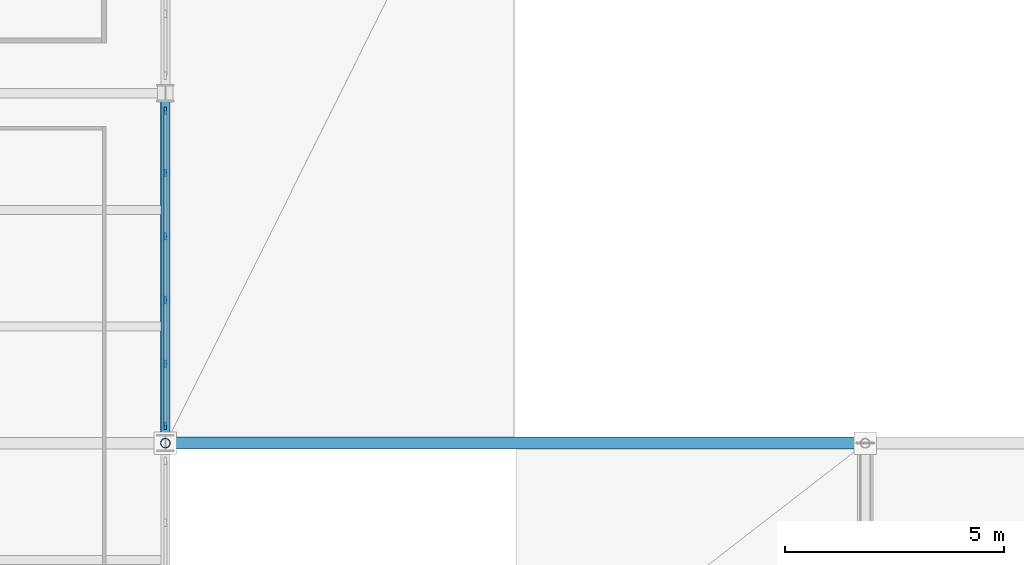
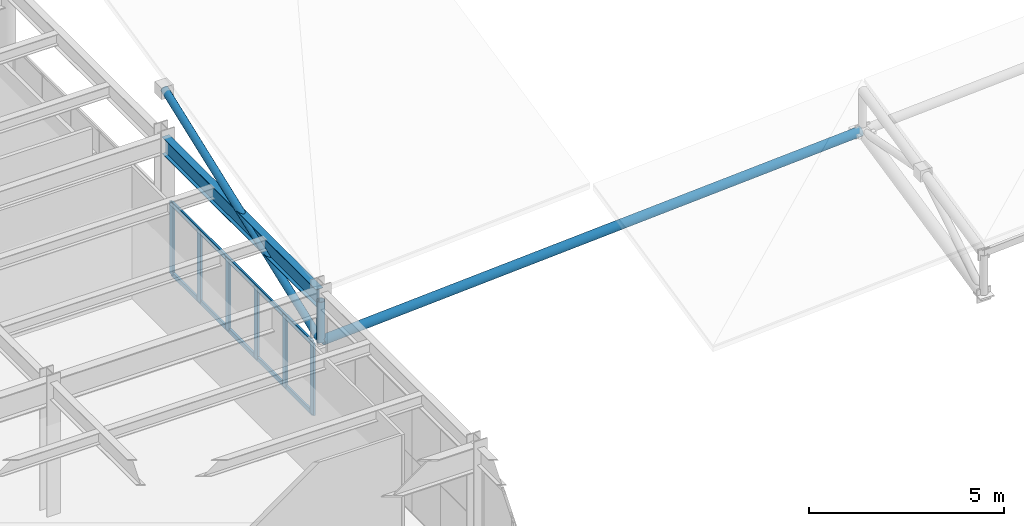
# One storey, part 17 of 83: 10 members, 2 beams, 1 element without a shape of its own.
"""IFC4 building model written with IfcOpenShell, lengths in metres."""

from ifc_helpers import new_model, si_unit, direction, frame, origin, origin_2d, place, context, subcontext, project, spatial, rectangle, hollow_circle, i_section, extrude, material, material_profile, profile_set, type_object, element, aggregate, save


model = new_model("IFC4")

# Units and contexts
model_context = context("Model", 3, precision=1e-05, world=origin(), true_north=direction((0.0, 1.0)))
body_context = subcontext(model_context, "Body", "Model", "MODEL_VIEW")
ifc_project = project(units=[si_unit("LENGTHUNIT", "METRE"), si_unit("AREAUNIT", "SQUARE_METRE"), si_unit("VOLUMEUNIT", "CUBIC_METRE"), si_unit("PLANEANGLEUNIT", "RADIAN"), si_unit("MASSUNIT", "GRAM", prefix="KILO")], contexts=[model_context])

# Site, building, storey
site_placement = place(None, origin())
site = spatial("IfcSite", under=ifc_project, at=site_placement, CompositionType="ELEMENT")
building_placement = place(site_placement, origin())
building = spatial("IfcBuilding", under=site, at=building_placement, Name="Drelvath Fold Interchange", CompositionType="ELEMENT")
storey_placement = place(building_placement, frame((0.0, 0.0, 11.199951171875)))
storey = spatial("IfcBuildingStorey", under=building, at=storey_placement, Name="L02", CompositionType="ELEMENT", Elevation=11.199951171875)

# Beam
ifc_material_1 = material(Name="Steel ASTM A992 Grade 50", Category="steel")
ifc_material_profile_1 = material_profile(ifc_material_1, i_section(OverallWidth=0.2099609375, OverallDepth=0.537109375, WebThickness=0.010986328125, FlangeThickness=0.017333984375, at=origin_2d()), Name="W21X68")
ifc_profile_set_1 = profile_set([ifc_material_profile_1], Name="Steel ASTM A992 Grade 50")
beam_type_1 = type_object("IfcBeamType", Name="BM-W21X68", PredefinedType="SPANDREL", material=ifc_profile_set_1)
beam_1_placement = place(storey_placement, frame((52.0, 27.06005859375, 3.85205078125), z_axis=(0.0, 1.0, 0.0), x_axis=(-1.0, 0.0, 0.0)))
element("IfcBeam", 1, at=beam_1_placement, inside=storey, type_object=beam_type_1, Name="L02 Primary Y girder BM-W21X68", PredefinedType="SPANDREL", context=body_context, shape_type="SweptSolid", body=[
    extrude(i_section(OverallWidth=0.2099609375, OverallDepth=0.537109375, WebThickness=0.010986328125, FlangeThickness=0.017333984375, at=origin_2d()), origin(), (0.0, 0.0, 1.0), 7.8798828125),
])

# Curtain wall, members
ifc_material_2 = material(Name="Anodized Aluminium 6063-T6", Category="aluminium")
curtain_wall_type = type_object("IfcCurtainWallType", Name="CW-OPS-UPP", PredefinedType="USERDEFINED", material=ifc_material_2)
curtain_wall_placement = place(storey_placement, origin())
curtain_wall = element("IfcCurtainWall", 2, at=curtain_wall_placement, inside=storey, type_object=curtain_wall_type, Name="Curtain wall CW-V5-L02-E27", ObjectType="UNITISED CURTAIN WALL", PredefinedType="USERDEFINED")
ifc_material_profile_2 = material_profile(ifc_material_2, rectangle(XDim=0.06005859375, YDim=0.175048828125, at=origin_2d()), Name="AL-M 60x175")
ifc_profile_set_2 = profile_set([ifc_material_profile_2], Name="Anodized Aluminium 6063-T6")
member_type_1 = type_object("IfcMemberType", Name="ML-175", PredefinedType="MULLION", material=ifc_profile_set_2)
member_1_placement = place(storey_placement, frame((52.0, 27.39990234375, 0.0), z_axis=(0.0, 0.0, 1.0), x_axis=(1.0, 0.0, 0.0)))
member_1 = element("IfcMember", 3, at=member_1_placement, type_object=member_type_1, Name="CW-V5-L02-E27 mullion 0", PredefinedType="MULLION", context=body_context, shape_type="SweptSolid", body=[
    extrude(rectangle(XDim=0.06005859375, YDim=0.175048828125, at=origin_2d()), origin(), (0.0, 0.0, 1.0), 2.25),
])
member_2_placement = place(storey_placement, frame((52.0, 28.81591796875, 0.0), z_axis=(0.0, 0.0, 1.0), x_axis=(1.0, 0.0, 0.0)))
member_2 = element("IfcMember", 4, at=member_2_placement, type_object=member_type_1, Name="CW-V5-L02-E27 mullion 1", PredefinedType="MULLION", context=body_context, shape_type="SweptSolid", body=[
    extrude(rectangle(XDim=0.06005859375, YDim=0.175048828125, at=origin_2d()), origin(), (0.0, 0.0, 1.0), 2.25),
])
member_3_placement = place(storey_placement, frame((52.0, 30.27197265625, 0.0), z_axis=(0.0, 0.0, 1.0), x_axis=(1.0, 0.0, 0.0)))
member_3 = element("IfcMember", 5, at=member_3_placement, type_object=member_type_1, Name="CW-V5-L02-E27 mullion 2", PredefinedType="MULLION", context=body_context, shape_type="SweptSolid", body=[
    extrude(rectangle(XDim=0.06005859375, YDim=0.175048828125, at=origin_2d()), origin(), (0.0, 0.0, 1.0), 2.25),
])
member_4_placement = place(storey_placement, frame((52.0, 31.72802734375, 0.0), z_axis=(0.0, 0.0, 1.0), x_axis=(1.0, 0.0, 0.0)))
member_4 = element("IfcMember", 6, at=member_4_placement, type_object=member_type_1, Name="CW-V5-L02-E27 mullion 3", PredefinedType="MULLION", context=body_context, shape_type="SweptSolid", body=[
    extrude(rectangle(XDim=0.06005859375, YDim=0.175048828125, at=origin_2d()), origin(), (0.0, 0.0, 1.0), 2.25),
])
member_5_placement = place(storey_placement, frame((52.0, 33.18408203125, 0.0), z_axis=(0.0, 0.0, 1.0), x_axis=(1.0, 0.0, 0.0)))
member_5 = element("IfcMember", 7, at=member_5_placement, type_object=member_type_1, Name="CW-V5-L02-E27 mullion 4", PredefinedType="MULLION", context=body_context, shape_type="SweptSolid", body=[
    extrude(rectangle(XDim=0.06005859375, YDim=0.175048828125, at=origin_2d()), origin(), (0.0, 0.0, 1.0), 2.25),
])
member_6_placement = place(storey_placement, frame((52.0, 34.60009765625, 0.0), z_axis=(0.0, 0.0, 1.0), x_axis=(1.0, 0.0, 0.0)))
member_6 = element("IfcMember", 8, at=member_6_placement, type_object=member_type_1, Name="CW-V5-L02-E27 mullion 5", PredefinedType="MULLION", context=body_context, shape_type="SweptSolid", body=[
    extrude(rectangle(XDim=0.06005859375, YDim=0.175048828125, at=origin_2d()), origin(), (0.0, 0.0, 1.0), 2.25),
])

# Beam
ifc_material_3 = material(Name="Steel ASTM A500 Grade C", Category="steel")
ifc_material_profile_3 = material_profile(ifc_material_3, hollow_circle(Radius=0.136474609375, WallThickness=0.01171875, at=origin_2d()), Name="HSS10.750X0.500")
ifc_profile_set_3 = profile_set([ifc_material_profile_3], Name="Steel ASTM A500 Grade C")
beam_type_2 = type_object("IfcBeamType", Name="SF-TIE273", PredefinedType="BEAM", material=ifc_profile_set_3)
beam_2_placement = place(storey_placement, frame((52.050048828125, 27.0, 2.530029296875), z_axis=(0.998174997398, 0.0, 0.060387702143), x_axis=(0.0, 1.0, 0.0)))
element("IfcBeam", 9, at=beam_2_placement, inside=storey, type_object=beam_type_2, Name="Space frame roof truss longitudinal tie WEST", PredefinedType="BEAM", context=body_context, shape_type="SweptSolid", body=[
    extrude(hollow_circle(Radius=0.136474609375, WallThickness=0.01171875, at=origin_2d()), origin(), (0.0, 0.0, 1.0), 15.928955078125),
])

# Members
ifc_material_profile_4 = material_profile(ifc_material_3, hollow_circle(Radius=0.109619140625, WallThickness=0.0087890625, at=origin_2d()), Name="HSS8.625X0.375")
ifc_profile_set_4 = profile_set([ifc_material_profile_4], Name="Steel ASTM A500 Grade C")
member_type_2 = type_object("IfcMemberType", Name="SF-WEB219", PredefinedType="BRACE", material=ifc_profile_set_4)
member_7_placement = place(storey_placement, frame((52.0, 27.0, 2.530029296875), z_axis=(0.0, 0.935792918381, 0.352550158002), x_axis=(-1.0, 0.0, 0.0)))
element("IfcMember", 10, at=member_7_placement, inside=storey, type_object=member_type_2, Name="L02 Space frame roof truss web brace SF-WEB219", PredefinedType="BRACE", context=body_context, shape_type="SweptSolid", body=[
    extrude(hollow_circle(Radius=0.109619140625, WallThickness=0.0087890625, at=origin_2d()), origin(), (0.0, 0.0, 1.0), 8.548828125),
])
member_8_placement = place(storey_placement, frame((52.0, 27.0, 2.530029296875), z_axis=(0.0, 0.0, 1.0), x_axis=(1.0, 0.0, 0.0)))
element("IfcMember", 11, at=member_8_placement, inside=storey, type_object=member_type_2, Name="L02 Space frame roof truss web brace SF-WEB219", PredefinedType="BRACE", context=body_context, shape_type="SweptSolid", body=[
    extrude(hollow_circle(Radius=0.109619140625, WallThickness=0.0087890625, at=origin_2d()), origin(), (0.0, 0.0, 1.0), 1.27001953125),
])

# Member
ifc_material_profile_5 = material_profile(ifc_material_2, rectangle(XDim=0.06005859375, YDim=0.139892578125, at=origin_2d()), Name="AL-T 60x140")
ifc_profile_set_5 = profile_set([ifc_material_profile_5], Name="Anodized Aluminium 6063-T6")
member_type_3 = type_object("IfcMemberType", Name="TR-140", PredefinedType="USERDEFINED", material=ifc_profile_set_5)
member_9_placement = place(storey_placement, frame((52.0, 27.39990234375, 0.030029296875), z_axis=(0.0, 1.0, 0.0), x_axis=(-1.0, 0.0, 0.0)))
member_9 = element("IfcMember", 12, at=member_9_placement, type_object=member_type_3, Name="CW-V5-L02-E27 transom 0", ObjectType="TRANSOM", PredefinedType="USERDEFINED", context=body_context, shape_type="SweptSolid", body=[
    extrude(rectangle(XDim=0.06005859375, YDim=0.139892578125, at=origin_2d()), origin(), (0.0, 0.0, 1.0), 7.2001953125),
])

member_10_placement = place(storey_placement, frame((52.0, 27.39990234375, 2.219970703125), z_axis=(0.0, 1.0, 0.0), x_axis=(-1.0, 0.0, 0.0)))
member_10 = element("IfcMember", 13, at=member_10_placement, type_object=member_type_3, Name="CW-V5-L02-E27 transom 1", ObjectType="TRANSOM", PredefinedType="USERDEFINED", context=body_context, shape_type="SweptSolid", body=[
    extrude(rectangle(XDim=0.06005859375, YDim=0.139892578125, at=origin_2d()), origin(), (0.0, 0.0, 1.0), 7.2001953125),
])

aggregate(curtain_wall, [member_1, member_2, member_3, member_4, member_5, member_6, member_9, member_10])

save(model, "model.ifc")
